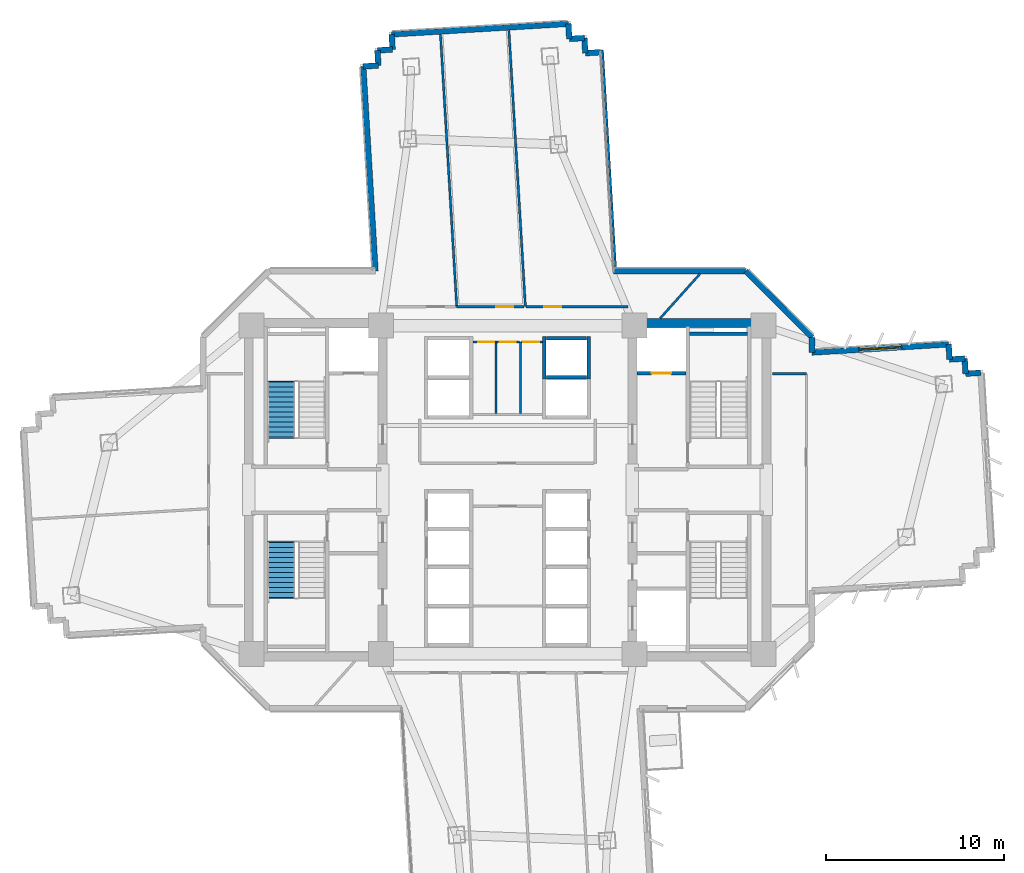
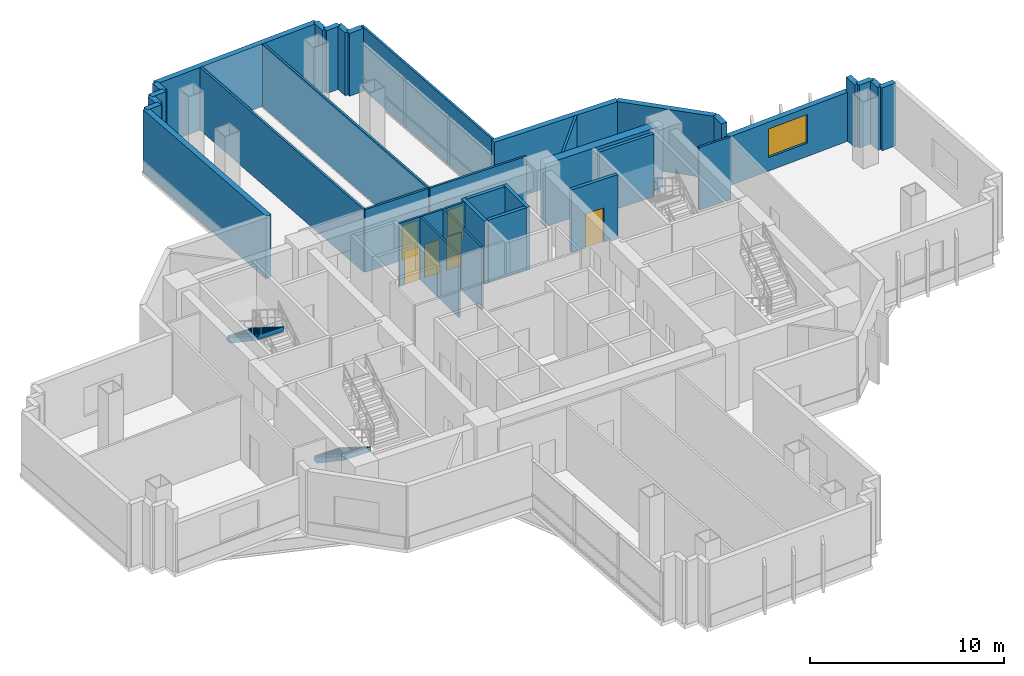
# One storey, part 9 of 15: 37 walls, 6 doors, 2 stair flights, 1 window, 7 openings, 2 elements without a shape of their own.
"""IFC4 building model written with IfcOpenShell, lengths in metres."""

import ifcopenshell
import ifcopenshell.guid

model = None  # the IFC model being written
_history = None  # IfcOwnerHistory: only IFC2X3 demands one
_inside = {}  # id of a spatial element -> (the spatial element, [elements in it])
_under = {}  # id of a project, library or spatial element -> (it, [spatial elements below it])
_declared = {}  # id of a project -> (the project, [libraries it declares])
_typed = {}  # id of a type object -> (the type object, [elements of that type])
_made_of = {}  # id of a material, layer set ... -> (it, [elements and type objects made of it])


def new_model(schema):
    """Start an empty IFC model of exactly this schema.

    Asked for "IFC4X3", IfcOpenShell would pick the latest addendum, in which some entities
    have other attributes; the version numbers below select the first issue.
    IFC2X3 requires an IfcOwnerHistory on every rooted entity: one is made here for all.
    """
    global model, _history
    if schema == "IFC4X3":
        model = ifcopenshell.file(schema_version=(4, 3, 0, 0))
    else:
        model = ifcopenshell.file(schema=schema)
    _inside.clear()
    _under.clear()
    _declared.clear()
    _typed.clear()
    _made_of.clear()
    _history = None
    if model.schema == "IFC2X3":
        org = make("IfcOrganization", Name="unknown")
        user = make(
            "IfcPersonAndOrganization",
            ThePerson=make("IfcPerson", FamilyName="unknown"),
            TheOrganization=org,
        )
        app = make(
            "IfcApplication",
            ApplicationDeveloper=org,
            Version="unknown",
            ApplicationFullName="unknown",
            ApplicationIdentifier="unknown",
        )
        _history = make(
            "IfcOwnerHistory",
            OwningUser=user,
            OwningApplication=app,
            ChangeAction="ADDED",
            CreationDate=0,
        )
    return model


def make(cls, **values):
    """One entity of the class cls with the attributes given. An attribute that is None is left unset."""
    return model.create_entity(
        cls, **{name: value for name, value in values.items() if value is not None}
    )


def rooted(cls, **values):
    """An entity with a GlobalId (a new one), such as an element, a storey or a relation."""
    return make(cls, GlobalId=ifcopenshell.guid.new(), OwnerHistory=_history, **values)


def si_unit(unit_type, name, prefix=None):
    """IfcSIUnit, for example si_unit("LENGTHUNIT", "METRE", prefix="MILLI")."""
    return make("IfcSIUnit", UnitType=unit_type, Prefix=prefix, Name=name)


def assignment(units):
    """IfcUnitAssignment: the units of a project."""
    return None if units is None else make("IfcUnitAssignment", Units=units)


def point(xyz):
    """IfcCartesianPoint."""
    return None if xyz is None else make("IfcCartesianPoint", Coordinates=xyz)


def direction(xyz):
    """IfcDirection."""
    return None if xyz is None else make("IfcDirection", DirectionRatios=xyz)


def frame(location, z_axis=None, x_axis=None):
    """IfcAxis2Placement3D, a coordinate frame: its origin and axes. An axis left out is left unset."""
    return make(
        "IfcAxis2Placement3D",
        Location=point(location),
        Axis=direction(z_axis),
        RefDirection=direction(x_axis),
    )


def frame_2d(location, x_axis=None):
    """IfcAxis2Placement2D, a coordinate frame in the plane: its origin and x axis."""
    return make(
        "IfcAxis2Placement2D", Location=point(location), RefDirection=direction(x_axis)
    )


def origin():
    """The frame at (0, 0, 0) with its axes left unset."""
    return frame((0.0, 0.0, 0.0))


def place(relative_to, where):
    """IfcLocalPlacement: puts the frame where relative to a parent placement (None: the world)."""
    return make(
        "IfcLocalPlacement", PlacementRelTo=relative_to, RelativePlacement=where
    )


def context(
    kind, dimensions, precision=None, world=None, true_north=None, identifier=None
):
    """IfcGeometricRepresentationContext, for example the 3D "Model" context."""
    return make(
        "IfcGeometricRepresentationContext",
        ContextIdentifier=identifier,
        ContextType=kind,
        CoordinateSpaceDimension=dimensions,
        Precision=precision,
        WorldCoordinateSystem=world,
        TrueNorth=true_north,
    )


def subcontext(parent, identifier, kind, view, scale=None):
    """IfcGeometricRepresentationSubContext, for example "Body" below "Model"."""
    return make(
        "IfcGeometricRepresentationSubContext",
        ContextIdentifier=identifier,
        ContextType=kind,
        ParentContext=parent,
        TargetScale=scale,
        TargetView=view,
    )


def project(units=None, contexts=None):
    """IfcProject with its units and contexts."""
    return rooted(
        "IfcProject",
        Name="project",
        RepresentationContexts=contexts,
        UnitsInContext=assignment(units),
    )


def spatial(cls, under=None, at=None, **own):
    """A site, building, storey or space (cls), placed at a placement, below another one or the project."""
    s = rooted(cls, ObjectPlacement=at, **own)
    if under is not None:
        _under.setdefault(under.id(), (under, []))[1].append(s)
    return s


def polyline(points):
    """IfcPolyline through the points."""
    return make("IfcPolyline", Points=[point(p) for p in points])


def profile(cls, at=None, kind="AREA", **sizes):
    """A parametric profile (cls). Its sizes go by their IFC names, for example OverallWidth=200.0."""
    return make(cls, ProfileType=kind, Position=at, **sizes)


def rectangle(**sizes):
    """IfcRectangleProfileDef."""
    return profile("IfcRectangleProfileDef", **sizes)


def outline(outer, holes=None, kind="AREA"):
    """IfcArbitraryClosedProfileDef: a profile drawn as a closed curve; with holes, ...WithVoids."""
    if holes is None:
        return make("IfcArbitraryClosedProfileDef", ProfileType=kind, OuterCurve=outer)
    return make(
        "IfcArbitraryProfileDefWithVoids",
        ProfileType=kind,
        OuterCurve=outer,
        InnerCurves=holes,
    )


def extrude(swept, where, along, depth):
    """IfcExtrudedAreaSolid: the profile swept, set in the frame where, extruded along a direction by depth."""
    return make(
        "IfcExtrudedAreaSolid",
        SweptArea=swept,
        Position=where,
        ExtrudedDirection=direction(along),
        Depth=depth,
    )


def shape(context_of_items, identifier, shape_type, items):
    """IfcShapeRepresentation: the items that make up one representation, for example the "Body"."""
    return make(
        "IfcShapeRepresentation",
        ContextOfItems=context_of_items,
        RepresentationIdentifier=identifier,
        RepresentationType=shape_type,
        Items=items,
    )


def source(mapping_origin, context_of_items, identifier, shape_type, items):
    """IfcRepresentationMap: a shape defined once, which mapped items show again and again."""
    return make(
        "IfcRepresentationMap",
        MappingOrigin=mapping_origin,
        MappedRepresentation=shape(context_of_items, identifier, shape_type, items),
    )


def transform(
    local_origin,
    x_axis=None,
    y_axis=None,
    z_axis=None,
    scale=None,
    scale2=None,
    scale3=None,
    uniform=True,
):
    """IfcCartesianTransformationOperator3D, or its non-uniform kind. x_axis, y_axis, z_axis: its Axis1, 2, 3."""
    if uniform:
        return make(
            "IfcCartesianTransformationOperator3D",
            Axis1=direction(x_axis),
            Axis2=direction(y_axis),
            LocalOrigin=point(local_origin),
            Scale=scale,
            Axis3=direction(z_axis),
        )
    return make(
        "IfcCartesianTransformationOperator3DnonUniform",
        Axis1=direction(x_axis),
        Axis2=direction(y_axis),
        LocalOrigin=point(local_origin),
        Scale=scale,
        Axis3=direction(z_axis),
        Scale2=scale2,
        Scale3=scale3,
    )


def mapped(mapping_source, mapping_target):
    """IfcMappedItem: shows the shape of a source again, moved by a transform."""
    return make(
        "IfcMappedItem", MappingSource=mapping_source, MappingTarget=mapping_target
    )


def material(Name=None, Category=None):
    """IfcMaterial."""
    return make("IfcMaterial", Name=Name, Category=Category)


def layer(
    of_material, thickness, ventilated=None, Name=None, Category=None, Priority=None
):
    """IfcMaterialLayer: one layer of a wall or slab, of a material (None: an air gap)."""
    return make(
        "IfcMaterialLayer",
        Material=of_material,
        LayerThickness=thickness,
        IsVentilated=ventilated,
        Name=Name,
        Category=Category,
        Priority=Priority,
    )


def layer_set(layers, Name=None):
    """IfcMaterialLayerSet."""
    return make("IfcMaterialLayerSet", MaterialLayers=layers, LayerSetName=Name)


def made_of(thing, what):
    """Note that an element or type object is made of a material, layer set ...; save() writes the relation."""
    if what is not None:
        _made_of.setdefault(what.id(), (what, []))[1].append(thing)
    return thing


def type_object(cls, material=None, **own):
    """A type object (cls), such as IfcWallType, which elements share."""
    return made_of(rooted(cls, **own), material)


def element(
    cls,
    number,
    at=None,
    inside=None,
    cuts=None,
    type_object=None,
    material=None,
    context=None,
    identifier="Body",
    shape_type=None,
    held_by="IfcProductDefinitionShape",
    body=None,
    shapes=None,
    **own,
):
    """One element of the class cls, such as IfcWall. Its Tag is "e" and its number.

    at: its placement. inside: the storey or other place that contains it. cuts: it is an
    opening in that element (IfcRelVoidsElement). A single representation is given by context,
    identifier, shape_type and body (its items); several are given by shapes. held_by: the class
    of the entity that holds the representations. save() writes the other relations.
    """
    e = rooted(cls, Tag="e%d" % number, ObjectPlacement=at, **own)
    if body is not None:
        shapes = [shape(context, identifier, shape_type, body)]
    if shapes is not None:
        e.Representation = make(held_by, Representations=shapes)
    if inside is not None:
        _inside.setdefault(inside.id(), (inside, []))[1].append(e)
    if cuts is not None:
        rooted(
            "IfcRelVoidsElement", RelatingBuildingElement=cuts, RelatedOpeningElement=e
        )
    if type_object is not None:
        _typed.setdefault(type_object.id(), (type_object, []))[1].append(e)
    return made_of(e, material)


def fill(opening, filler):
    """IfcRelFillsElement: the door or window that sits in an opening."""
    return rooted(
        "IfcRelFillsElement",
        RelatingOpeningElement=opening,
        RelatedBuildingElement=filler,
    )


def aggregate(whole, parts):
    """IfcRelAggregates: a whole, such as a stair, and the parts it consists of."""
    return rooted("IfcRelAggregates", RelatingObject=whole, RelatedObjects=parts)


def save(model, path):
    """Write the relations noted so far, then the file.

    IfcRelAggregates (storeys below a building ...), IfcRelContainedInSpatialStructure (elements
    in a storey), IfcRelDefinesByType, IfcRelAssociatesMaterial and IfcRelDeclares: one each for
    every whole, place, type object, material and project.
    """
    for whole, parts in _under.values():
        aggregate(whole, parts)
    for where, things in _inside.values():
        rooted(
            "IfcRelContainedInSpatialStructure",
            RelatedElements=things,
            RelatingStructure=where,
        )
    for kind, things in _typed.values():
        rooted("IfcRelDefinesByType", RelatedObjects=things, RelatingType=kind)
    for what, things in _made_of.values():
        rooted("IfcRelAssociatesMaterial", RelatedObjects=things, RelatingMaterial=what)
    for by, libraries in _declared.values():
        rooted("IfcRelDeclares", RelatingContext=by, RelatedDefinitions=libraries)
    model.write(path)


model = new_model("IFC4")

# Units and contexts
model_context = context("Model", 3, precision=1e-05, world=origin(), true_north=direction((0.0, 1.0)))
body_context = subcontext(model_context, "Body", "Model", "MODEL_VIEW")
ifc_project = project(units=[si_unit("LENGTHUNIT", "METRE"), si_unit("AREAUNIT", "SQUARE_METRE"), si_unit("VOLUMEUNIT", "CUBIC_METRE"), si_unit("PLANEANGLEUNIT", "RADIAN"), si_unit("MASSUNIT", "GRAM", prefix="KILO")], contexts=[model_context])

# Site, building, storey
site_placement = place(None, origin())
site = spatial("IfcSite", under=ifc_project, at=site_placement, CompositionType="ELEMENT")
building_placement = place(site_placement, origin())
building = spatial("IfcBuilding", under=site, at=building_placement, Name="Zahravan Cultural Tower", CompositionType="ELEMENT")
storey_placement = place(building_placement, frame((0.0, 0.0, 71.10009765625)))
storey = spatial("IfcBuildingStorey", under=building, at=storey_placement, Name="L15", CompositionType="ELEMENT", Elevation=71.10009765625)

# Wall, opening, window
ifc_material_1 = material(Name="Precast concrete C40/50", Category="concrete")
ifc_layer_1 = layer(ifc_material_1, 0.320068359375)
ifc_layer_set_1 = layer_set([ifc_layer_1], Name="Precast concrete C40/50")
wall_type_1 = type_object("IfcWallType", Name="EW-TC-320", PredefinedType="SOLIDWALL", material=ifc_layer_set_1)
wall_1_placement = place(storey_placement, frame((53.06005859375, 34.69140625, 0.0), z_axis=(0.0, 0.0, 1.0), x_axis=(0.998218176762, 0.059669687296, 0.0)))
wall_1 = element("IfcWall", 1, at=wall_1_placement, inside=storey, type_object=wall_type_1, Name="L15 Exterior Masonry Frame Wall 01", PredefinedType="SOLIDWALL", context=body_context, shape_type="SweptSolid", body=[
    extrude(rectangle(XDim=7.671630859375, YDim=0.320068359375, at=frame_2d((3.8359375, 0.0))), origin(), (0.0, 0.0, 1.0), 3.079833984375),
])
opening_1_placement = place(wall_1_placement, frame((2.635986328125, 0.0, 0.85009765625)))
opening_1 = element("IfcOpeningElement", 2, at=opening_1_placement, cuts=wall_1, Name="Opening WN-01", PredefinedType="OPENING", context=body_context, shape_type="SweptSolid", body=[
    extrude(rectangle(XDim=2.39990234375, YDim=1.800048828125, at=frame_2d((1.199951171875, 0.89990234375))), frame((0.0, 0.169921875, 0.0), z_axis=(0.0, -1.0, 0.0), x_axis=(1.0, 0.0, 0.0)), (0.0, 0.0, 1.0), 0.340087890625),
])
ifc_material_2 = material(Name="Low-E solar-control double glazing", Category="glass")
window_type = type_object("IfcWindowType", Name="WN-REC-2400X1800", PartitioningType="DOUBLE_PANEL_VERTICAL", PredefinedType="WINDOW", material=ifc_material_2)
shared_shape_1 = source(origin(), body_context, "Body", "SweptSolid", [
    extrude(rectangle(XDim=2.39990234375, YDim=1.800048828125, at=frame_2d((1.199951171875, 0.89990234375))), frame((0.0, 0.030029296875, 0.0), z_axis=(0.0, -1.0, 0.0), x_axis=(1.0, 0.0, 0.0)), (0.0, 0.0, 1.0), 0.06005859375),
])
window_placement = place(opening_1_placement, origin())
window = element("IfcWindow", 3, at=window_placement, inside=storey, type_object=window_type, Name="L15 Recessed Solar Window 01", OverallHeight=1.800048828125, OverallWidth=2.39990234375, PartitioningType="DOUBLE_PANEL_VERTICAL", PredefinedType="WINDOW", context=body_context, shape_type="MappedRepresentation", body=[
    mapped(shared_shape_1, transform((0.0, 0.0, 0.0), x_axis=(1.0, 0.0, 0.0), y_axis=(0.0, 1.0, 0.0), z_axis=(0.0, 0.0, 1.0), scale=1.0)),
])
fill(opening_1, window)

# Wall, opening, door
ifc_material_3 = material(Name="Gypsum plasterboard partition")
ifc_layer_2 = layer(ifc_material_3, 0.125)
ifc_layer_set_2 = layer_set([ifc_layer_2], Name="Gypsum plasterboard partition")
wall_type_2 = type_object("IfcWallType", Name="W-PART-125", PredefinedType="PARTITIONING", material=ifc_layer_set_2)
wall_2_placement = place(storey_placement, frame((36.93212890625, 37.260009765625, 0.0), z_axis=(0.0, 0.0, 1.0), x_axis=(-1.0, 0.0, 0.0)))
wall_2 = element("IfcWall", 4, at=wall_2_placement, inside=storey, type_object=wall_type_2, Name="L15 Interior Wall 085", PredefinedType="PARTITIONING", context=body_context, shape_type="SweptSolid", body=[
    extrude(rectangle(XDim=3.779296875, YDim=0.125, at=frame_2d((1.8896484375, 0.0))), origin(), (0.0, 0.0, 1.0), 3.949951171875),
])
opening_2_placement = place(wall_2_placement, frame((0.622314453125, 0.0, 0.0)))
opening_2 = element("IfcOpeningElement", 5, at=opening_2_placement, cuts=wall_2, Name="Opening D-L15-18", PredefinedType="OPENING", context=body_context, shape_type="SweptSolid", body=[
    extrude(rectangle(XDim=0.949951171875, YDim=2.14990234375, at=frame_2d((0.47509765625, 1.074951171875))), frame((0.0, 0.072509765625, 0.0), z_axis=(0.0, -1.0, 0.0), x_axis=(1.0, 0.0, 0.0)), (0.0, 0.0, 1.0), 0.14501953125),
])
ifc_material_4 = material(Name="Anodised bronze-aluminium mullion", Category="aluminium")
door_type_1 = type_object("IfcDoorType", Name="DR-ROOM-950", OperationType="NOTDEFINED", PredefinedType="DOOR", material=ifc_material_4)
shared_shape_2 = source(origin(), body_context, "Body", "SweptSolid", [
    extrude(rectangle(XDim=0.949951171875, YDim=2.14990234375, at=frame_2d((0.47509765625, 1.074951171875))), frame((0.0, 0.02490234375, 0.0), z_axis=(0.0, -1.0, 0.0), x_axis=(1.0, 0.0, 0.0)), (0.0, 0.0, 1.0), 0.050048828125),
])
door_1_placement = place(opening_2_placement, origin())
door_1 = element("IfcDoor", 6, at=door_1_placement, inside=storey, type_object=door_type_1, Name="L15 Door D-L15-18", OperationType="SINGLE_SWING_RIGHT", OverallHeight=2.14990234375, OverallWidth=0.949951171875, PredefinedType="DOOR", context=body_context, shape_type="MappedRepresentation", body=[
    mapped(shared_shape_2, transform((0.0, 0.0, 0.0), x_axis=(1.0, 0.0, 0.0), y_axis=(0.0, 1.0, 0.0), z_axis=(0.0, 0.0, 1.0), scale=1.0)),
])
fill(opening_2, door_1)

wall_3_placement = place(storey_placement, frame((42.742431640625, 37.259765625, 0.0), z_axis=(0.0, 0.0, 1.0), x_axis=(-0.99999999909, 4.2662116e-05, 0.0)))
wall_3 = element("IfcWall", 7, at=wall_3_placement, inside=storey, type_object=wall_type_2, Name="L15 Interior Wall 099", PredefinedType="PARTITIONING", context=body_context, shape_type="SweptSolid", body=[
    extrude(rectangle(XDim=5.72265625, YDim=0.125, at=frame_2d((2.861328125, 0.0))), origin(), (0.0, 0.0, 1.0), 3.949951171875),
])
opening_3_placement = place(wall_3_placement, frame((3.72265625, 0.0, 0.0)))
opening_3 = element("IfcOpeningElement", 8, at=opening_3_placement, cuts=wall_3, Name="Opening D-L15-17", PredefinedType="OPENING", context=body_context, shape_type="SweptSolid", body=[
    extrude(rectangle(XDim=0.949951171875, YDim=2.14990234375, at=frame_2d((0.47509765625, 1.074951171875))), frame((0.0, 0.072509765625, 0.0), z_axis=(0.0, -1.0, 0.0), x_axis=(1.0, 0.0, 0.0)), (0.0, 0.0, 1.0), 0.14501953125),
])
door_2_placement = place(opening_3_placement, origin())
door_2 = element("IfcDoor", 9, at=door_2_placement, inside=storey, type_object=door_type_1, Name="L15 Door D-L15-17", OperationType="SINGLE_SWING_LEFT", OverallHeight=2.14990234375, OverallWidth=0.949951171875, PredefinedType="DOOR", context=body_context, shape_type="MappedRepresentation", body=[
    mapped(shared_shape_2, transform((0.0, 0.0, 0.0), x_axis=(1.0, 0.0, 0.0), y_axis=(0.0, 1.0, 0.0), z_axis=(0.0, 0.0, 1.0), scale=1.0)),
])
fill(opening_3, door_2)

ifc_material_5 = material(Name="Concrete C45/55", Category="concrete")
ifc_layer_3 = layer(ifc_material_5, 0.199951171875)
ifc_layer_set_3 = layer_set([ifc_layer_3], Name="Concrete C45/55")
wall_type_3 = type_object("IfcWallType", Name="W-SHAFT-200", PredefinedType="SOLIDWALL", material=ifc_layer_set_3)
wall_4_placement = place(storey_placement, frame((43.25, 33.52001953125, 0.0), z_axis=(0.0, 0.0, 1.0), x_axis=(1.0, 0.0, 0.0)))
wall_4 = element("IfcWall", 10, at=wall_4_placement, inside=storey, type_object=wall_type_3, Name="L15 Interior Wall 022", PredefinedType="SOLIDWALL", context=body_context, shape_type="SweptSolid", body=[
    extrude(rectangle(XDim=2.75, YDim=0.199951171875, at=frame_2d((1.375, 0.0))), origin(), (0.0, 0.0, 1.0), 3.949951171875),
])
opening_4_placement = place(wall_4_placement, frame((0.820068359375, 0.0, 0.0)))
opening_4 = element("IfcOpeningElement", 11, at=opening_4_placement, cuts=wall_4, Name="Opening LD-L15-02", PredefinedType="OPENING", context=body_context, shape_type="SweptSolid", body=[
    extrude(rectangle(XDim=1.10009765625, YDim=2.14990234375, at=frame_2d((0.550048828125, 1.074951171875))), frame((0.0, 0.10986328125, 0.0), z_axis=(0.0, -1.0, 0.0), x_axis=(1.0, 0.0, 0.0)), (0.0, 0.0, 1.0), 0.219970703125),
])
ifc_material_6 = material(Name="Steel ASTM A572 Grade 50", Category="steel")
door_type_2 = type_object("IfcDoorType", Name="DR-LIFT-1100", OperationType="DOUBLE_DOOR_SLIDING", PredefinedType="DOOR", material=ifc_material_6)
shared_shape_3 = source(origin(), body_context, "Body", "SweptSolid", [
    extrude(rectangle(XDim=1.10009765625, YDim=2.14990234375, at=frame_2d((0.550048828125, 1.074951171875))), frame((0.0, 0.02490234375, 0.0), z_axis=(0.0, -1.0, 0.0), x_axis=(1.0, 0.0, 0.0)), (0.0, 0.0, 1.0), 0.050048828125),
])
door_3_placement = place(opening_4_placement, origin())
door_3 = element("IfcDoor", 12, at=door_3_placement, inside=storey, type_object=door_type_2, Name="L15 Door LD-L15-02", OperationType="DOUBLE_DOOR_SLIDING", OverallHeight=2.14990234375, OverallWidth=1.10009765625, PredefinedType="DOOR", context=body_context, shape_type="MappedRepresentation", body=[
    mapped(shared_shape_3, transform((0.0, 0.0, 0.0), x_axis=(1.0, 0.0, 0.0), y_axis=(0.0, 1.0, 0.0), z_axis=(0.0, 0.0, 1.0), scale=1.0)),
])
fill(opening_4, door_3)

ifc_layer_4 = layer(ifc_material_3, 0.114990234375)
ifc_layer_set_4 = layer_set([ifc_layer_4], Name="Gypsum plasterboard partition")
wall_type_4 = type_object("IfcWallType", Name="W-WC-115", PredefinedType="PARTITIONING", material=ifc_layer_set_4)
wall_5_placement = place(storey_placement, frame((36.782470703125, 35.280029296875, 0.0), z_axis=(0.0, 0.0, 1.0), x_axis=(1.0, 0.0, 0.0)))
wall_5 = element("IfcWall", 13, at=wall_5_placement, inside=storey, type_object=wall_type_4, Name="L15 Interior Wall 068", PredefinedType="PARTITIONING", context=body_context, shape_type="SweptSolid", body=[
    extrude(rectangle(XDim=1.16259765625, YDim=0.114990234375, at=frame_2d((0.581298828125, 0.0))), origin(), (0.0, 0.0, 1.0), 3.949951171875),
])
opening_5_placement = place(wall_5_placement, frame((0.0888671875, 0.0, 0.0)))
opening_5 = element("IfcOpeningElement", 14, at=opening_5_placement, cuts=wall_5, Name="Opening D-L15-13", PredefinedType="OPENING", context=body_context, shape_type="SweptSolid", body=[
    extrude(rectangle(XDim=0.89990234375, YDim=2.10009765625, at=frame_2d((0.449951171875, 1.050048828125))), frame((0.0, 0.0673828125, 0.0), z_axis=(0.0, -1.0, 0.0), x_axis=(1.0, 0.0, 0.0)), (0.0, 0.0, 1.0), 0.135009765625),
])
door_type_3 = type_object("IfcDoorType", Name="DR-WC-900", OperationType="NOTDEFINED", PredefinedType="DOOR", material=ifc_material_4)
shared_shape_4 = source(origin(), body_context, "Body", "SweptSolid", [
    extrude(rectangle(XDim=0.89990234375, YDim=2.10009765625, at=frame_2d((0.449951171875, 1.050048828125))), frame((0.0, 0.02490234375, 0.0), z_axis=(0.0, -1.0, 0.0), x_axis=(1.0, 0.0, 0.0)), (0.0, 0.0, 1.0), 0.050048828125),
])
door_4_placement = place(opening_5_placement, origin())
door_4 = element("IfcDoor", 15, at=door_4_placement, inside=storey, type_object=door_type_3, Name="L15 Door D-L15-13", OperationType="SINGLE_SWING_LEFT", OverallHeight=2.10009765625, OverallWidth=0.89990234375, PredefinedType="DOOR", context=body_context, shape_type="MappedRepresentation", body=[
    mapped(shared_shape_4, transform((0.0, 0.0, 0.0), x_axis=(1.0, 0.0, 0.0), y_axis=(0.0, 1.0, 0.0), z_axis=(0.0, 0.0, 1.0), scale=1.0)),
])
fill(opening_5, door_4)

wall_6_placement = place(storey_placement, frame((34.054931640625, 35.280029296875, 0.0), z_axis=(0.0, 0.0, 1.0), x_axis=(1.0, 0.0, 0.0)))
wall_6 = element("IfcWall", 16, at=wall_6_placement, inside=storey, type_object=wall_type_4, Name="L15 Interior Wall 070", PredefinedType="PARTITIONING", context=body_context, shape_type="SweptSolid", body=[
    extrude(rectangle(XDim=1.28515625, YDim=0.114990234375, at=frame_2d((0.642578125, 0.0))), origin(), (0.0, 0.0, 1.0), 3.949951171875),
])
opening_6_placement = place(wall_6_placement, frame((0.30029296875, 0.0, 0.0)))
opening_6 = element("IfcOpeningElement", 17, at=opening_6_placement, cuts=wall_6, Name="Opening D-L15-11", PredefinedType="OPENING", context=body_context, shape_type="SweptSolid", body=[
    extrude(rectangle(XDim=0.89990234375, YDim=2.10009765625, at=frame_2d((0.449951171875, 1.050048828125))), frame((0.0, 0.0673828125, 0.0), z_axis=(0.0, -1.0, 0.0), x_axis=(1.0, 0.0, 0.0)), (0.0, 0.0, 1.0), 0.135009765625),
])
door_5_placement = place(opening_6_placement, origin())
door_5 = element("IfcDoor", 18, at=door_5_placement, inside=storey, type_object=door_type_3, Name="L15 Door D-L15-11", OperationType="SINGLE_SWING_LEFT", OverallHeight=2.10009765625, OverallWidth=0.89990234375, PredefinedType="DOOR", context=body_context, shape_type="MappedRepresentation", body=[
    mapped(shared_shape_4, transform((0.0, 0.0, 0.0), x_axis=(1.0, 0.0, 0.0), y_axis=(0.0, 1.0, 0.0), z_axis=(0.0, 0.0, 1.0), scale=1.0)),
])
fill(opening_6, door_5)

wall_7_placement = place(storey_placement, frame((35.360107421875, 35.280029296875, 0.0), z_axis=(0.0, 0.0, 1.0), x_axis=(1.0, 0.0, 0.0)))
wall_7 = element("IfcWall", 19, at=wall_7_placement, inside=storey, type_object=wall_type_4, Name="L15 Interior Wall 073", PredefinedType="PARTITIONING", context=body_context, shape_type="SweptSolid", body=[
    extrude(rectangle(XDim=1.29736328125, YDim=0.114990234375, at=frame_2d((0.648681640625, 0.0))), origin(), (0.0, 0.0, 1.0), 3.949951171875),
])
opening_7_placement = place(wall_7_placement, frame((0.19873046875, 0.0, 0.0)))
opening_7 = element("IfcOpeningElement", 20, at=opening_7_placement, cuts=wall_7, Name="Opening D-L15-12", PredefinedType="OPENING", context=body_context, shape_type="SweptSolid", body=[
    extrude(rectangle(XDim=0.89990234375, YDim=2.10009765625, at=frame_2d((0.449951171875, 1.050048828125))), frame((0.0, 0.0673828125, 0.0), z_axis=(0.0, -1.0, 0.0), x_axis=(1.0, 0.0, 0.0)), (0.0, 0.0, 1.0), 0.135009765625),
])
door_6_placement = place(opening_7_placement, origin())
door_6 = element("IfcDoor", 21, at=door_6_placement, inside=storey, type_object=door_type_3, Name="L15 Door D-L15-12", OperationType="SINGLE_SWING_RIGHT", OverallHeight=2.10009765625, OverallWidth=0.89990234375, PredefinedType="DOOR", context=body_context, shape_type="MappedRepresentation", body=[
    mapped(shared_shape_4, transform((0.0, 0.0, 0.0), x_axis=(1.0, 0.0, 0.0), y_axis=(0.0, 1.0, 0.0), z_axis=(0.0, 0.0, 1.0), scale=1.0)),
])
fill(opening_7, door_6)

# Walls
ifc_material_7 = material(Name="Concrete C60/75", Category="concrete")
ifc_layer_5 = layer(ifc_material_7, 0.5)
ifc_layer_set_5 = layer_set([ifc_layer_5], Name="Concrete C60/75")
wall_type_5 = type_object("IfcWallType", Name="CW-SHEAR-500-C60", PredefinedType="SHEAR", material=ifc_layer_set_5)
shared_shape_5 = source(origin(), body_context, "Body", "SweptSolid", [
    extrude(rectangle(XDim=7.0, YDim=0.5, at=frame_2d((3.5, 0.0))), origin(), (0.0, 0.0, 1.0), 3.949951171875),
])
wall_8_placement = place(storey_placement, frame((43.25, 36.35009765625, 0.0), z_axis=(0.0, 0.0, 1.0), x_axis=(1.0, 0.0, 0.0)))
element("IfcWall", 22, at=wall_8_placement, inside=storey, type_object=wall_type_5, Name="L15 Core Shear Wall CW-E-N-L15", PredefinedType="SHEAR", context=body_context, shape_type="MappedRepresentation", body=[
    mapped(shared_shape_5, transform((0.0, 0.0, 0.0), x_axis=(1.0, 0.0, 0.0), y_axis=(0.0, 1.0, 0.0), z_axis=(0.0, 0.0, 1.0), scale=1.0)),
])
shared_shape_6 = source(origin(), body_context, "Body", "SweptSolid", [
    extrude(rectangle(XDim=0.849853515625, YDim=0.320068359375, at=frame_2d((0.4248046875, 0.0))), origin(), (0.0, 0.0, 1.0), 3.949951171875),
])
for number, where, z_axis, x_axis, name in (
    (23, (27.91064453125, 50.7197265625, 0.0), (0.0, 0.0, 1.0), (0.998213421964, 0.059749177487, 0.0), "L15 Exterior Masonry Frame Wall 43"),
    (24, (28.759033203125, 50.7705078125, 0.0), (0.0, 0.0, 1.0), (-0.059462939961, 0.998230513845, 0.0), "L15 Exterior Masonry Frame Wall 44"),
    (25, (28.70849609375, 51.618896484375, 0.0), (0.0, 0.0, 1.0), (0.998213421964, 0.059749177487, 0.0), "L15 Exterior Masonry Frame Wall 45"),
    (26, (29.556884765625, 51.669677734375, 0.0), (0.0, 0.0, 1.0), (-0.059749177487, 0.998213421964, 0.0), "L15 Exterior Masonry Frame Wall 46"),
    (27, (39.459228515625, 52.26123046875, 0.0), (0.0, 0.0, 1.0), (0.998213421964, 0.059749177487, 0.0), "L15 Exterior Masonry Frame Wall 49"),
    (28, (40.3076171875, 52.31201171875, 0.0), (0.0, 0.0, 1.0), (0.059749177487, -0.998213421964, 0.0), "L15 Exterior Masonry Frame Wall 50"),
    (29, (40.3583984375, 51.463623046875, 0.0), (0.0, 0.0, 1.0), (0.998213421964, 0.059749177487, 0.0), "L15 Exterior Masonry Frame Wall 51"),
):
    element("IfcWall", number, at=place(storey_placement, frame(where, z_axis=z_axis, x_axis=x_axis)), inside=storey, type_object=wall_type_1, Name=name, PredefinedType="SOLIDWALL", context=body_context, shape_type="MappedRepresentation", body=[
        mapped(shared_shape_6, transform((0.0, 0.0, 0.0), x_axis=(1.0, 0.0, 0.0), y_axis=(0.0, 1.0, 0.0), z_axis=(0.0, 0.0, 1.0), scale=1.0)),
    ])
shared_shape_7 = source(origin(), body_context, "Body", "SweptSolid", [
    extrude(rectangle(XDim=0.85009765625, YDim=0.320068359375, at=frame_2d((0.425048828125, 0.0))), origin(), (0.0, 0.0, 1.0), 3.949951171875),
])
for number, where, z_axis, x_axis, name in (
    (30, (60.718017578125, 35.149169921875, 0.0), (0.0, 0.0, 1.0), (0.059445893707, -0.998231529116, 0.0), "L15 Exterior Masonry Frame Wall 02"),
    (31, (60.7685546875, 34.300537109375, 0.0), (0.0, 0.0, 1.0), (0.998214447016, 0.059732049764, 0.0), "L15 Exterior Masonry Frame Wall 03"),
    (32, (61.6171875, 34.351318359375, 0.0), (0.0, 0.0, 1.0), (0.059445893707, -0.998231529116, 0.0), "L15 Exterior Masonry Frame Wall 04"),
    (33, (61.667724609375, 33.502685546875, 0.0), (0.0, 0.0, 1.0), (0.998214447016, 0.059732049764, 0.0), "L15 Exterior Masonry Frame Wall 05"),
    (34, (39.408447265625, 53.10986328125, 0.0), (0.0, 0.0, 1.0), (0.059732049764, -0.998214447016, 0.0), "L15 Exterior Masonry Frame Wall 48"),
):
    element("IfcWall", number, at=place(storey_placement, frame(where, z_axis=z_axis, x_axis=x_axis)), inside=storey, type_object=wall_type_1, Name=name, PredefinedType="SOLIDWALL", context=body_context, shape_type="MappedRepresentation", body=[
        mapped(shared_shape_7, transform((0.0, 0.0, 0.0), x_axis=(1.0, 0.0, 0.0), y_axis=(0.0, 1.0, 0.0), z_axis=(0.0, 0.0, 1.0), scale=1.0)),
    ])
shared_shape_8 = source(origin(), body_context, "Body", "SweptSolid", [
    extrude(rectangle(XDim=9.919921875, YDim=0.320068359375, at=frame_2d((4.9599609375, 0.0))), origin(), (0.0, 0.0, 1.0), 3.949951171875),
])
wall_9_placement = place(storey_placement, frame((29.506103515625, 52.51806640625, 0.0), z_axis=(0.0, 0.0, 1.0), x_axis=(0.998218942745, 0.059656871726, 0.0)))
element("IfcWall", 35, at=wall_9_placement, inside=storey, type_object=wall_type_1, Name="L15 Exterior Masonry Frame Wall 47", PredefinedType="SOLIDWALL", context=body_context, shape_type="MappedRepresentation", body=[
    mapped(shared_shape_8, transform((0.0, 0.0, 0.0), x_axis=(1.0, 0.0, 0.0), y_axis=(0.0, 1.0, 0.0), z_axis=(0.0, 0.0, 1.0), scale=1.0)),
])
shared_shape_9 = source(origin(), body_context, "Body", "SweptSolid", [
    extrude(rectangle(XDim=5.258056640625, YDim=0.320068359375, at=frame_2d((2.62890625, 0.0))), origin(), (0.0, 0.0, 1.0), 3.949951171875),
])
wall_10_placement = place(storey_placement, frame((49.342041015625, 39.260009765625, 0.0), z_axis=(0.0, 0.0, 1.0), x_axis=(0.707106781187, -0.707106781187, 0.0)))
element("IfcWall", 36, at=wall_10_placement, inside=storey, type_object=wall_type_1, Name="L15 Exterior Masonry Frame Wall 53", PredefinedType="SOLIDWALL", context=body_context, shape_type="MappedRepresentation", body=[
    mapped(shared_shape_9, transform((0.0, 0.0, 0.0), x_axis=(1.0, 0.0, 0.0), y_axis=(0.0, 1.0, 0.0), z_axis=(0.0, 0.0, 1.0), scale=1.0)),
])
shared_shape_10 = source(origin(), body_context, "Body", "SweptSolid", [
    extrude(rectangle(XDim=7.40283203125, YDim=0.320068359375, at=frame_2d((3.701416015625, 0.0))), origin(), (0.0, 0.0, 1.0), 3.949951171875),
])
wall_11_placement = place(storey_placement, frame((41.939208984375, 39.260009765625, 0.0), z_axis=(0.0, 0.0, 1.0), x_axis=(1.0, 0.0, 0.0)))
element("IfcWall", 37, at=wall_11_placement, inside=storey, type_object=wall_type_1, Name="L15 Exterior Masonry Frame Wall 52", PredefinedType="SOLIDWALL", context=body_context, shape_type="MappedRepresentation", body=[
    mapped(shared_shape_10, transform((0.0, 0.0, 0.0), x_axis=(1.0, 0.0, 0.0), y_axis=(0.0, 1.0, 0.0), z_axis=(0.0, 0.0, 1.0), scale=1.0)),
])
shared_shape_11 = source(origin(), body_context, "Body", "SweptSolid", [
    extrude(rectangle(XDim=0.8505859375, YDim=0.320068359375, at=frame_2d((0.42529296875, 0.0))), origin(), (0.0, 0.0, 1.0), 3.949951171875),
])
wall_12_placement = place(storey_placement, frame((53.06005859375, 35.5419921875, 0.0), z_axis=(0.0, 0.0, 1.0), x_axis=(0.0, -1.0, 0.0)))
element("IfcWall", 38, at=wall_12_placement, inside=storey, type_object=wall_type_1, Name="L15 Exterior Masonry Frame Wall 54", PredefinedType="SOLIDWALL", context=body_context, shape_type="MappedRepresentation", body=[
    mapped(shared_shape_11, transform((0.0, 0.0, 0.0), x_axis=(1.0, 0.0, 0.0), y_axis=(0.0, 1.0, 0.0), z_axis=(0.0, 0.0, 1.0), scale=1.0)),
])
shared_shape_12 = source(origin(), body_context, "Body", "SweptSolid", [
    extrude(rectangle(XDim=11.480224609375, YDim=0.320068359375, at=frame_2d((5.740234375, 0.0))), origin(), (0.0, 0.0, 1.0), 3.949951171875),
])
wall_13_placement = place(storey_placement, frame((28.595458984375, 39.260009765625, 0.0), z_axis=(0.0, 0.0, 1.0), x_axis=(-0.059651994121, 0.998219234235, 0.0)))
element("IfcWall", 39, at=wall_13_placement, inside=storey, type_object=wall_type_1, Name="L15 Exterior Masonry Frame Wall 42", PredefinedType="SOLIDWALL", context=body_context, shape_type="MappedRepresentation", body=[
    mapped(shared_shape_12, transform((0.0, 0.0, 0.0), x_axis=(1.0, 0.0, 0.0), y_axis=(0.0, 1.0, 0.0), z_axis=(0.0, 0.0, 1.0), scale=1.0)),
])
shared_shape_13 = source(origin(), body_context, "Body", "SweptSolid", [
    extrude(rectangle(XDim=3.25, YDim=0.199951171875, at=frame_2d((1.625, 0.0))), origin(), (0.0, 0.0, 1.0), 3.949951171875),
])
wall_14_placement = place(storey_placement, frame((46.199951171875, 35.75, 0.0), z_axis=(0.0, 0.0, 1.0), x_axis=(1.0, 0.0, 0.0)))
element("IfcWall", 40, at=wall_14_placement, inside=storey, type_object=wall_type_3, Name="L15 Interior Wall 018", PredefinedType="SOLIDWALL", context=body_context, shape_type="MappedRepresentation", body=[
    mapped(shared_shape_13, transform((0.0, 0.0, 0.0), x_axis=(1.0, 0.0, 0.0), y_axis=(0.0, 1.0, 0.0), z_axis=(0.0, 0.0, 1.0), scale=1.0)),
])
shared_shape_14 = source(origin(), body_context, "Body", "SweptSolid", [
    extrude(rectangle(XDim=2.400146484375, YDim=0.199951171875, at=frame_2d((1.2001953125, 0.0))), origin(), (0.0, 0.0, 1.0), 3.949951171875),
])
for number, where, z_axis, x_axis, name in (
    (41, (38.050048828125, 33.199951171875, 0.0), (0.0, 0.0, 1.0), (0.0, 1.0, 0.0), "L15 Interior Wall 033"),
    (42, (40.550048828125, 33.199951171875, 0.0), (0.0, 0.0, 1.0), (0.0, 1.0, 0.0), "L15 Interior Wall 034"),
):
    element("IfcWall", number, at=place(storey_placement, frame(where, z_axis=z_axis, x_axis=x_axis)), inside=storey, type_object=wall_type_3, Name=name, PredefinedType="SOLIDWALL", context=body_context, shape_type="MappedRepresentation", body=[
        mapped(shared_shape_14, transform((0.0, 0.0, 0.0), x_axis=(1.0, 0.0, 0.0), y_axis=(0.0, 1.0, 0.0), z_axis=(0.0, 0.0, 1.0), scale=1.0)),
    ])
shared_shape_15 = source(origin(), body_context, "Body", "SweptSolid", [
    extrude(rectangle(XDim=2.260009765625, YDim=0.199951171875, at=frame_2d((1.1298828125, 0.0))), origin(), (0.0, 0.0, 1.0), 3.949951171875),
])
for number, where, z_axis, x_axis, name in (
    (43, (38.169921875, 33.300048828125, 0.0), (0.0, 0.0, 1.0), (1.0, 0.0, 0.0), "L15 Interior Wall 035"),
    (44, (38.169921875, 35.5, 0.0), (0.0, 0.0, 1.0), (1.0, 0.0, 0.0), "L15 Interior Wall 036"),
):
    element("IfcWall", number, at=place(storey_placement, frame(where, z_axis=z_axis, x_axis=x_axis)), inside=storey, type_object=wall_type_3, Name=name, PredefinedType="SOLIDWALL", context=body_context, shape_type="MappedRepresentation", body=[
        mapped(shared_shape_15, transform((0.0, 0.0, 0.0), x_axis=(1.0, 0.0, 0.0), y_axis=(0.0, 1.0, 0.0), z_axis=(0.0, 0.0, 1.0), scale=1.0)),
    ])
shared_shape_16 = source(origin(), body_context, "Body", "SweptSolid", [
    extrude(rectangle(XDim=3.99755859375, YDim=0.114990234375, at=frame_2d((1.998779296875, 0.0))), origin(), (0.0, 0.0, 1.0), 3.949951171875),
])
wall_15_placement = place(storey_placement, frame((36.719970703125, 31.282470703125, 0.0), z_axis=(0.0, 0.0, 1.0), x_axis=(0.0, 1.0, 0.0)))
element("IfcWall", 45, at=wall_15_placement, inside=storey, type_object=wall_type_4, Name="L15 Interior Wall 067", PredefinedType="PARTITIONING", context=body_context, shape_type="MappedRepresentation", body=[
    mapped(shared_shape_16, transform((0.0, 0.0, 0.0), x_axis=(1.0, 0.0, 0.0), y_axis=(0.0, 1.0, 0.0), z_axis=(0.0, 0.0, 1.0), scale=1.0)),
])
shared_shape_17 = source(origin(), body_context, "Body", "SweptSolid", [
    extrude(rectangle(XDim=3.93505859375, YDim=0.114990234375, at=frame_2d((1.967529296875, 0.0))), origin(), (0.0, 0.0, 1.0), 3.949951171875),
])
wall_16_placement = place(storey_placement, frame((35.340087890625, 35.217529296875, 0.0), z_axis=(0.0, 0.0, 1.0), x_axis=(0.0, -1.0, 0.0)))
element("IfcWall", 46, at=wall_16_placement, inside=storey, type_object=wall_type_4, Name="L15 Interior Wall 071", PredefinedType="PARTITIONING", context=body_context, shape_type="MappedRepresentation", body=[
    mapped(shared_shape_17, transform((0.0, 0.0, 0.0), x_axis=(1.0, 0.0, 0.0), y_axis=(0.0, 1.0, 0.0), z_axis=(0.0, 0.0, 1.0), scale=1.0)),
])
shared_shape_18 = source(origin(), body_context, "Body", "SweptSolid", [
    extrude(rectangle(XDim=1.896728515625, YDim=0.125, at=frame_2d((0.9482421875, 0.0))), origin(), (0.0, 0.0, 1.0), 3.949951171875),
])
wall_17_placement = place(storey_placement, frame((52.747314453125, 33.497314453125, 0.0), z_axis=(0.0, 0.0, 1.0), x_axis=(-0.999999925444, -0.000386150055, 0.0)))
element("IfcWall", 47, at=wall_17_placement, inside=storey, type_object=wall_type_2, Name="L15 Interior Wall 104", PredefinedType="PARTITIONING", context=body_context, shape_type="MappedRepresentation", body=[
    mapped(shared_shape_18, transform((0.0, 0.0, 0.0), x_axis=(1.0, 0.0, 0.0), y_axis=(0.0, 1.0, 0.0), z_axis=(0.0, 0.0, 1.0), scale=1.0)),
])
shared_shape_19 = source(origin(), body_context, "Body", "SweptSolid", [
    extrude(rectangle(XDim=15.512939453125, YDim=0.125, at=frame_2d((7.75634765625, 0.0))), origin(), (0.0, 0.0, 1.0), 3.949951171875),
])
wall_18_placement = place(storey_placement, frame((36.07421875, 52.745361328125, 0.0), z_axis=(0.0, 0.0, 1.0), x_axis=(0.059662086624, -0.998218631072, 0.0)))
element("IfcWall", 48, at=wall_18_placement, inside=storey, type_object=wall_type_2, Name="L15 Interior Wall 084", PredefinedType="PARTITIONING", context=body_context, shape_type="MappedRepresentation", body=[
    mapped(shared_shape_19, transform((0.0, 0.0, 0.0), x_axis=(1.0, 0.0, 0.0), y_axis=(0.0, 1.0, 0.0), z_axis=(0.0, 0.0, 1.0), scale=1.0)),
])
shared_shape_20 = source(origin(), body_context, "Body", "SweptSolid", [
    extrude(rectangle(XDim=15.283203125, YDim=0.125, at=frame_2d((7.6416015625, 0.0))), origin(), (0.0, 0.0, 1.0), 3.949951171875),
])
wall_19_placement = place(storey_placement, frame((33.15283203125, 37.260009765625, 0.0), z_axis=(0.0, 0.0, 1.0), x_axis=(-0.059648121824, 0.99821946563, 0.0)))
element("IfcWall", 49, at=wall_19_placement, inside=storey, type_object=wall_type_2, Name="L15 Interior Wall 086", PredefinedType="PARTITIONING", context=body_context, shape_type="MappedRepresentation", body=[
    mapped(shared_shape_20, transform((0.0, 0.0, 0.0), x_axis=(1.0, 0.0, 0.0), y_axis=(0.0, 1.0, 0.0), z_axis=(0.0, 0.0, 1.0), scale=1.0)),
])
shared_shape_21 = source(origin(), body_context, "Body", "SweptSolid", [
    extrude(rectangle(XDim=3.34765625, YDim=0.125, at=frame_2d((1.673828125, 0.0))), origin(), (0.0, 0.0, 1.0), 3.949951171875),
])
wall_20_placement = place(storey_placement, frame((46.784912109375, 39.0986328125, 0.0), z_axis=(0.0, 0.0, 1.0), x_axis=(-0.667206176518, -0.74487308853, 0.0)))
element("IfcWall", 50, at=wall_20_placement, inside=storey, type_object=wall_type_2, Name="L15 Interior Wall 101", PredefinedType="PARTITIONING", context=body_context, shape_type="MappedRepresentation", body=[
    mapped(shared_shape_21, transform((0.0, 0.0, 0.0), x_axis=(1.0, 0.0, 0.0), y_axis=(0.0, 1.0, 0.0), z_axis=(0.0, 0.0, 1.0), scale=1.0)),
])
shared_shape_22 = source(origin(), body_context, "Body", "SweptSolid", [
    extrude(rectangle(XDim=12.23828125, YDim=0.125, at=frame_2d((6.119140625, 0.0))), origin(), (0.0, 0.0, 1.0), 3.949951171875),
])
wall_21_placement = place(storey_placement, frame((41.319580078125, 51.641357421875, 0.0), z_axis=(0.0, 0.0, 1.0), x_axis=(0.059807214901, -0.998209946377, 0.0)))
element("IfcWall", 51, at=wall_21_placement, inside=storey, type_object=wall_type_2, Name="L15 Interior Wall 100", PredefinedType="PARTITIONING", context=body_context, shape_type="MappedRepresentation", body=[
    mapped(shared_shape_22, transform((0.0, 0.0, 0.0), x_axis=(1.0, 0.0, 0.0), y_axis=(0.0, 1.0, 0.0), z_axis=(0.0, 0.0, 1.0), scale=1.0)),
])

# Stair, stair flight
stair_type = type_object("IfcStairType", Name="STR-DL-1550-420", PredefinedType="HALF_TURN_STAIR", material=ifc_material_5)
stair_1_placement = place(storey_placement, origin())
stair_1 = element("IfcStair", 52, at=stair_1_placement, inside=storey, type_object=stair_type, Name="L15 West Core North Exit Stair ST-W1", PredefinedType="HALF_TURN_STAIR")
stair_flight_type = type_object("IfcStairFlightType", Name="FLG-DL-1550-420", PredefinedType="STRAIGHT", material=ifc_material_5)
stair_flight_1_placement = place(storey_placement, frame((23.324951171875, 33.030029296875, 2.099853515625), z_axis=(0.0, 0.0, 1.0), x_axis=(0.0, -1.0, 0.0)))
stair_flight_1 = element("IfcStairFlight", 53, at=stair_flight_1_placement, type_object=stair_flight_type, Name="ST-W1 flight 2", NumberOfRisers=12, NumberOfTreads=11, PredefinedType="STRAIGHT", RiserHeight=0.175, TreadLength=0.28, context=body_context, shape_type="SweptSolid", body=[
    extrude(outline(polyline([(-0.06494140625, -0.139892578125), (-0.06494140625, 0.0), (0.0, 0.0), (0.0, 0.175048828125), (0.280029296875, 0.175048828125), (0.280029296875, 0.35009765625), (0.56005859375, 0.35009765625), (0.56005859375, 0.52490234375), (0.840087890625, 0.52490234375), (0.840087890625, 0.699951171875), (1.1201171875, 0.699951171875), (1.1201171875, 0.875), (1.39990234375, 0.875), (1.39990234375, 1.050048828125), (1.679931640625, 1.050048828125), (1.679931640625, 1.22509765625), (1.9599609375, 1.22509765625), (1.9599609375, 1.39990234375), (2.239990234375, 1.39990234375), (2.239990234375, 1.574951171875), (2.52001953125, 1.574951171875), (2.52001953125, 1.75), (2.800048828125, 1.75), (2.800048828125, 1.925048828125), (3.080078125, 1.925048828125), (3.080078125, 2.10009765625), (3.14501953125, 2.10009765625), (3.14501953125, 1.9501953125), (3.080078125, 1.748291015625), (0.28271484375, -0.139892578125), (-0.06494140625, -0.139892578125)])), frame((0.0, 0.77490234375, 0.0), z_axis=(0.0, -1.0, 0.0), x_axis=(1.0, 0.0, 0.0)), (0.0, 0.0, 1.0), 1.550048828125),
])
aggregate(stair_1, [stair_flight_1])

stair_2_placement = place(storey_placement, origin())
stair_2 = element("IfcStair", 54, at=stair_2_placement, inside=storey, type_object=stair_type, Name="L15 West Core South Exit Stair ST-W2", PredefinedType="HALF_TURN_STAIR")
stair_flight_2_placement = place(storey_placement, frame((23.324951171875, 24.050048828125, 0.0), z_axis=(0.0, 0.0, 1.0), x_axis=(0.0, -1.0, 0.0)))
stair_flight_2 = element("IfcStairFlight", 55, at=stair_flight_2_placement, type_object=stair_flight_type, Name="ST-W2 flight 1", NumberOfRisers=12, NumberOfTreads=11, PredefinedType="STRAIGHT", RiserHeight=0.175, TreadLength=0.28, context=body_context, shape_type="SweptSolid", body=[
    extrude(outline(polyline([(-0.06494140625, -0.139892578125), (-0.06494140625, 0.0), (0.0, 0.0), (0.0, 0.175048828125), (0.280029296875, 0.175048828125), (0.280029296875, 0.35009765625), (0.56005859375, 0.35009765625), (0.56005859375, 0.52490234375), (0.840087890625, 0.52490234375), (0.840087890625, 0.699951171875), (1.1201171875, 0.699951171875), (1.1201171875, 0.875), (1.39990234375, 0.875), (1.39990234375, 1.050048828125), (1.679931640625, 1.050048828125), (1.679931640625, 1.22509765625), (1.9599609375, 1.22509765625), (1.9599609375, 1.39990234375), (2.239990234375, 1.39990234375), (2.239990234375, 1.574951171875), (2.52001953125, 1.574951171875), (2.52001953125, 1.75), (2.800048828125, 1.75), (2.800048828125, 1.925048828125), (3.080078125, 1.925048828125), (3.080078125, 2.10009765625), (3.14501953125, 2.10009765625), (3.14501953125, 1.9501953125), (3.080078125, 1.748291015625), (0.28271484375, -0.139892578125), (-0.06494140625, -0.139892578125)])), frame((0.0, 0.77490234375, 0.0), z_axis=(0.0, -1.0, 0.0), x_axis=(1.0, 0.0, 0.0)), (0.0, 0.0, 1.0), 1.550048828125),
])
aggregate(stair_2, [stair_flight_2])

save(model, "model.ifc")
